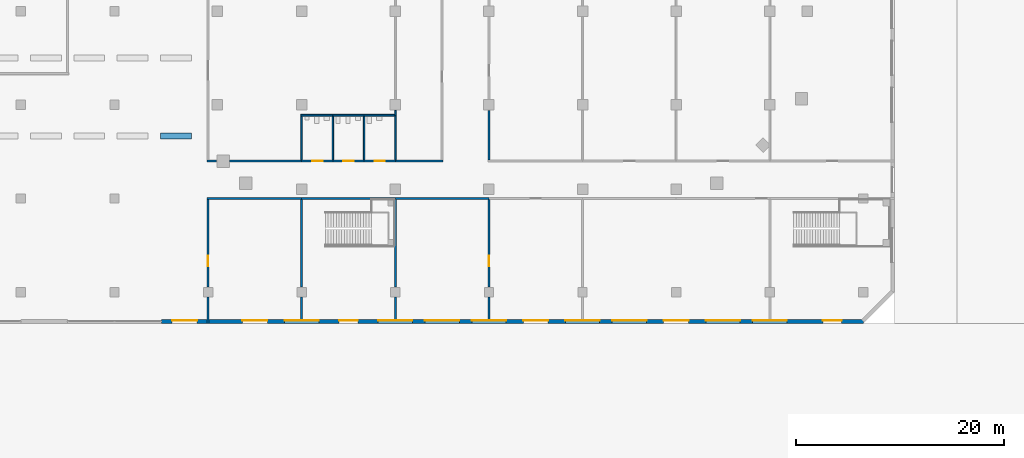
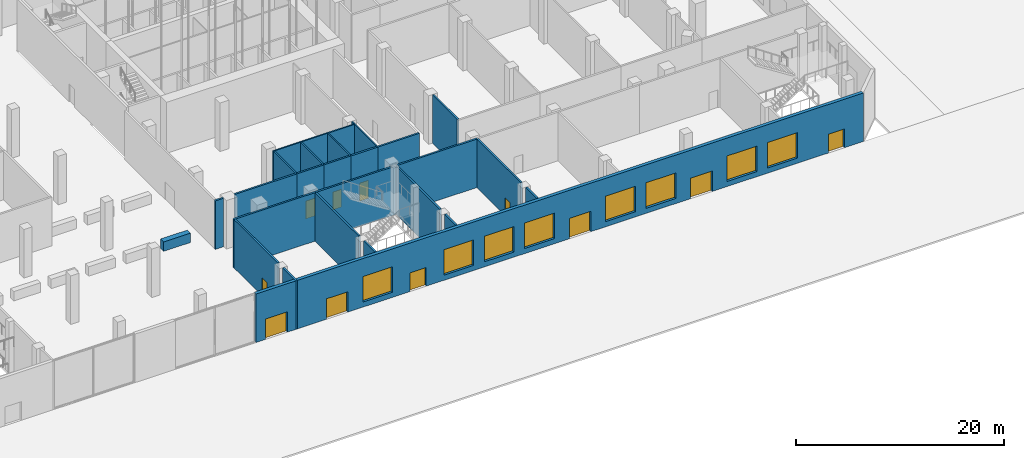
# One storey, part 36 of 55: 28 walls, 11 doors, 8 windows, 19 openings.
"""IFC4 building model written with IfcOpenShell, lengths in metres."""

from ifc_helpers import new_model, si_unit, direction, frame, frame_2d, origin, place, context, subcontext, project, spatial, rectangle, extrude, material, layer, layer_set, type_object, element, fill, save


model = new_model("IFC4")

# Units and contexts
model_context = context("Model", 3, precision=1e-05, world=origin(), true_north=direction((0.0, 1.0)))
body_context = subcontext(model_context, "Body", "Model", "MODEL_VIEW")
ifc_project = project(units=[si_unit("LENGTHUNIT", "METRE"), si_unit("AREAUNIT", "SQUARE_METRE"), si_unit("VOLUMEUNIT", "CUBIC_METRE"), si_unit("PLANEANGLEUNIT", "RADIAN"), si_unit("MASSUNIT", "GRAM", prefix="KILO")], contexts=[model_context])

# Site, building, storey
site_placement = place(None, origin())
site = spatial("IfcSite", under=ifc_project, at=site_placement, CompositionType="ELEMENT")
building_placement = place(site_placement, origin())
building = spatial("IfcBuilding", under=site, at=building_placement, Name="Cinnabar Reach Civic Tower", CompositionType="ELEMENT")
storey_placement = place(building_placement, origin())
storey = spatial("IfcBuildingStorey", under=building, at=storey_placement, Name="L00", CompositionType="ELEMENT", Elevation=0.0)

# Wall, openings, doors, windows
ifc_material_1 = material(Name="Facing brick with insulated backing", Category="masonry")
ifc_layer_1 = layer(ifc_material_1, 0.36)
ifc_layer_set_1 = layer_set([ifc_layer_1], Name="Brick pier and spandrel wall")
wall_type_1 = type_object("IfcWallType", Name="Brick pier and spandrel wall", PredefinedType="STANDARD", material=ifc_layer_set_1)
wall_1_placement = place(storey_placement, frame((-4.5, -11.82, 0.0), z_axis=(0.0, 0.0, 1.0), x_axis=(1.0, 0.0, 0.0)))
wall_1 = element("IfcWall", 1, at=wall_1_placement, inside=storey, type_object=wall_type_1, Name="Brick facade wall", PredefinedType="STANDARD", context=body_context, shape_type="SweptSolid", body=[
    extrude(rectangle(XDim=67.5, YDim=0.36, at=frame_2d((33.75, 0.0))), origin(), (0.0, 0.0, 1.0), 5.7),
])
opening_1_placement = place(wall_1_placement, frame((1.05, 0.0, 0.0)))
opening_1 = element("IfcOpeningElement", 2, at=opening_1_placement, cuts=wall_1, Name="Opening D7527", PredefinedType="OPENING", context=body_context, shape_type="SweptSolid", body=[
    extrude(rectangle(XDim=2.4, YDim=2.4, at=frame_2d((1.2, 1.2))), frame((0.0, 0.19, 0.0), z_axis=(0.0, -1.0, 0.0), x_axis=(1.0, 0.0, 0.0)), (0.0, 0.0, 1.0), 0.38),
])
opening_2_placement = place(wall_1_placement, frame((48.3, 0.0, 0.0)))
opening_2 = element("IfcOpeningElement", 3, at=opening_2_placement, cuts=wall_1, Name="Opening D7528", PredefinedType="OPENING", context=body_context, shape_type="SweptSolid", body=[
    extrude(rectangle(XDim=2.4, YDim=2.4, at=frame_2d((1.2, 1.2))), frame((0.0, 0.19, 0.0), z_axis=(0.0, -1.0, 0.0), x_axis=(1.0, 0.0, 0.0)), (0.0, 0.0, 1.0), 0.38),
])
opening_3_placement = place(wall_1_placement, frame((34.8, 0.0, 0.0)))
opening_3 = element("IfcOpeningElement", 4, at=opening_3_placement, cuts=wall_1, Name="Opening D7529", PredefinedType="OPENING", context=body_context, shape_type="SweptSolid", body=[
    extrude(rectangle(XDim=2.4, YDim=2.4, at=frame_2d((1.2, 1.2))), frame((0.0, 0.19, 0.0), z_axis=(0.0, -1.0, 0.0), x_axis=(1.0, 0.0, 0.0)), (0.0, 0.0, 1.0), 0.38),
])
opening_4_placement = place(wall_1_placement, frame((7.8, 0.0, 0.0)))
opening_4 = element("IfcOpeningElement", 5, at=opening_4_placement, cuts=wall_1, Name="Opening D7530", PredefinedType="OPENING", context=body_context, shape_type="SweptSolid", body=[
    extrude(rectangle(XDim=2.4, YDim=2.4, at=frame_2d((1.2, 1.2))), frame((0.0, 0.19, 0.0), z_axis=(0.0, -1.0, 0.0), x_axis=(1.0, 0.0, 0.0)), (0.0, 0.0, 1.0), 0.38),
])
opening_5_placement = place(wall_1_placement, frame((17.1, 0.0, 0.0)))
opening_5 = element("IfcOpeningElement", 6, at=opening_5_placement, cuts=wall_1, Name="Opening D7531", PredefinedType="OPENING", context=body_context, shape_type="SweptSolid", body=[
    extrude(rectangle(XDim=1.8, YDim=2.2, at=frame_2d((0.9, 1.1))), frame((0.0, 0.19, 0.0), z_axis=(0.0, -1.0, 0.0), x_axis=(1.0, 0.0, 0.0)), (0.0, 0.0, 1.0), 0.38),
])
opening_6_placement = place(wall_1_placement, frame((63.6, 0.0, 0.0)))
opening_6 = element("IfcOpeningElement", 7, at=opening_6_placement, cuts=wall_1, Name="Opening D7532", PredefinedType="OPENING", context=body_context, shape_type="SweptSolid", body=[
    extrude(rectangle(XDim=1.8, YDim=2.2, at=frame_2d((0.9, 1.1))), frame((0.0, 0.19, 0.0), z_axis=(0.0, -1.0, 0.0), x_axis=(1.0, 0.0, 0.0)), (0.0, 0.0, 1.0), 0.38),
])
opening_7_placement = place(wall_1_placement, frame((11.85, 0.0, 0.6)))
opening_7 = element("IfcOpeningElement", 8, at=opening_7_placement, cuts=wall_1, Name="Opening W2810", PredefinedType="OPENING", context=body_context, shape_type="SweptSolid", body=[
    extrude(rectangle(XDim=3.3, YDim=3.0, at=frame_2d((1.65, 1.5))), frame((0.0, 0.19, 0.0), z_axis=(0.0, -1.0, 0.0), x_axis=(1.0, 0.0, 0.0)), (0.0, 0.0, 1.0), 0.38),
])
opening_8_placement = place(wall_1_placement, frame((20.85, 0.0, 0.6)))
opening_8 = element("IfcOpeningElement", 9, at=opening_8_placement, cuts=wall_1, Name="Opening W2811", PredefinedType="OPENING", context=body_context, shape_type="SweptSolid", body=[
    extrude(rectangle(XDim=3.3, YDim=3.0, at=frame_2d((1.65, 1.5))), frame((0.0, 0.19, 0.0), z_axis=(0.0, -1.0, 0.0), x_axis=(1.0, 0.0, 0.0)), (0.0, 0.0, 1.0), 0.38),
])
opening_9_placement = place(wall_1_placement, frame((25.35, 0.0, 0.6)))
opening_9 = element("IfcOpeningElement", 10, at=opening_9_placement, cuts=wall_1, Name="Opening W2812", PredefinedType="OPENING", context=body_context, shape_type="SweptSolid", body=[
    extrude(rectangle(XDim=3.3, YDim=3.0, at=frame_2d((1.65, 1.5))), frame((0.0, 0.19, 0.0), z_axis=(0.0, -1.0, 0.0), x_axis=(1.0, 0.0, 0.0)), (0.0, 0.0, 1.0), 0.38),
])
opening_10_placement = place(wall_1_placement, frame((29.85, 0.0, 0.6)))
opening_10 = element("IfcOpeningElement", 11, at=opening_10_placement, cuts=wall_1, Name="Opening W2813", PredefinedType="OPENING", context=body_context, shape_type="SweptSolid", body=[
    extrude(rectangle(XDim=3.3, YDim=3.0, at=frame_2d((1.65, 1.5))), frame((0.0, 0.19, 0.0), z_axis=(0.0, -1.0, 0.0), x_axis=(1.0, 0.0, 0.0)), (0.0, 0.0, 1.0), 0.38),
])
opening_11_placement = place(wall_1_placement, frame((38.85, 0.0, 0.6)))
opening_11 = element("IfcOpeningElement", 12, at=opening_11_placement, cuts=wall_1, Name="Opening W2814", PredefinedType="OPENING", context=body_context, shape_type="SweptSolid", body=[
    extrude(rectangle(XDim=3.3, YDim=3.0, at=frame_2d((1.65, 1.5))), frame((0.0, 0.19, 0.0), z_axis=(0.0, -1.0, 0.0), x_axis=(1.0, 0.0, 0.0)), (0.0, 0.0, 1.0), 0.38),
])
opening_12_placement = place(wall_1_placement, frame((43.35, 0.0, 0.6)))
opening_12 = element("IfcOpeningElement", 13, at=opening_12_placement, cuts=wall_1, Name="Opening W2815", PredefinedType="OPENING", context=body_context, shape_type="SweptSolid", body=[
    extrude(rectangle(XDim=3.3, YDim=3.0, at=frame_2d((1.65, 1.5))), frame((0.0, 0.19, 0.0), z_axis=(0.0, -1.0, 0.0), x_axis=(1.0, 0.0, 0.0)), (0.0, 0.0, 1.0), 0.38),
])
opening_13_placement = place(wall_1_placement, frame((52.35, 0.0, 0.6)))
opening_13 = element("IfcOpeningElement", 14, at=opening_13_placement, cuts=wall_1, Name="Opening W2816", PredefinedType="OPENING", context=body_context, shape_type="SweptSolid", body=[
    extrude(rectangle(XDim=3.3, YDim=3.0, at=frame_2d((1.65, 1.5))), frame((0.0, 0.19, 0.0), z_axis=(0.0, -1.0, 0.0), x_axis=(1.0, 0.0, 0.0)), (0.0, 0.0, 1.0), 0.38),
])
opening_14_placement = place(wall_1_placement, frame((56.85, 0.0, 0.6)))
opening_14 = element("IfcOpeningElement", 15, at=opening_14_placement, cuts=wall_1, Name="Opening W2817", PredefinedType="OPENING", context=body_context, shape_type="SweptSolid", body=[
    extrude(rectangle(XDim=3.3, YDim=3.0, at=frame_2d((1.65, 1.5))), frame((0.0, 0.19, 0.0), z_axis=(0.0, -1.0, 0.0), x_axis=(1.0, 0.0, 0.0)), (0.0, 0.0, 1.0), 0.38),
])
ifc_material_2 = material(Name="Clear glazing in aluminium frame", Category="aluminium")
door_type_1 = type_object("IfcDoorType", Name="Facade entrance double door", OperationType="SINGLE_SWING_LEFT", PredefinedType="DOOR", material=ifc_material_2)
door_1_placement = place(opening_1_placement, frame((2.4, 0.0, 0.0), z_axis=(0.0, 0.0, 1.0), x_axis=(-1.0, 0.0, 0.0)))
door_1 = element("IfcDoor", 16, at=door_1_placement, inside=storey, type_object=door_type_1, Name="Public service hall entrance", OperationType="DOUBLE_DOOR_SINGLE_SWING", OverallHeight=2.4, OverallWidth=2.4, PredefinedType="DOOR", context=body_context, shape_type="SweptSolid", body=[
    extrude(rectangle(XDim=2.4, YDim=2.4, at=frame_2d((1.2, 1.2))), frame((0.0, -0.07, 0.0), z_axis=(0.0, -1.0, 0.0), x_axis=(1.0, 0.0, 0.0)), (0.0, 0.0, 1.0), 0.05),
])
fill(opening_1, door_1)
door_2_placement = place(opening_2_placement, frame((2.4, 0.0, 0.0), z_axis=(0.0, 0.0, 1.0), x_axis=(-1.0, 0.0, 0.0)))
door_2 = element("IfcDoor", 17, at=door_2_placement, inside=storey, type_object=door_type_1, Name="Promenade cafe entrance", OperationType="DOUBLE_DOOR_SINGLE_SWING", OverallHeight=2.4, OverallWidth=2.4, PredefinedType="DOOR", context=body_context, shape_type="SweptSolid", body=[
    extrude(rectangle(XDim=2.4, YDim=2.4, at=frame_2d((1.2, 1.2))), frame((0.0, -0.07, 0.0), z_axis=(0.0, -1.0, 0.0), x_axis=(1.0, 0.0, 0.0)), (0.0, 0.0, 1.0), 0.05),
])
fill(opening_2, door_2)
door_3_placement = place(opening_3_placement, frame((2.4, 0.0, 0.0), z_axis=(0.0, 0.0, 1.0), x_axis=(-1.0, 0.0, 0.0)))
door_3 = element("IfcDoor", 18, at=door_3_placement, inside=storey, type_object=door_type_1, Name="Observation deck lobby entrance", OperationType="DOUBLE_DOOR_SINGLE_SWING", OverallHeight=2.4, OverallWidth=2.4, PredefinedType="DOOR", context=body_context, shape_type="SweptSolid", body=[
    extrude(rectangle(XDim=2.4, YDim=2.4, at=frame_2d((1.2, 1.2))), frame((0.0, -0.07, 0.0), z_axis=(0.0, -1.0, 0.0), x_axis=(1.0, 0.0, 0.0)), (0.0, 0.0, 1.0), 0.05),
])
fill(opening_3, door_3)
door_4_placement = place(opening_4_placement, frame((2.4, 0.0, 0.0), z_axis=(0.0, 0.0, 1.0), x_axis=(-1.0, 0.0, 0.0)))
door_4 = element("IfcDoor", 19, at=door_4_placement, inside=storey, type_object=door_type_1, Name="Retail entrance", OperationType="DOUBLE_DOOR_SINGLE_SWING", OverallHeight=2.4, OverallWidth=2.4, PredefinedType="DOOR", context=body_context, shape_type="SweptSolid", body=[
    extrude(rectangle(XDim=2.4, YDim=2.4, at=frame_2d((1.2, 1.2))), frame((0.0, -0.07, 0.0), z_axis=(0.0, -1.0, 0.0), x_axis=(1.0, 0.0, 0.0)), (0.0, 0.0, 1.0), 0.05),
])
fill(opening_4, door_4)
ifc_material_3 = material(Name="Steel fire door", Category="steel")
door_type_2 = type_object("IfcDoorType", Name="Facade exit double door", OperationType="SINGLE_SWING_LEFT", PredefinedType="DOOR", material=ifc_material_3)
door_5_placement = place(opening_5_placement, frame((1.8, 0.0, 0.0), z_axis=(0.0, 0.0, 1.0), x_axis=(-1.0, 0.0, 0.0)))
door_5 = element("IfcDoor", 20, at=door_5_placement, inside=storey, type_object=door_type_2, Name="Stair exit discharge", OperationType="DOUBLE_DOOR_SINGLE_SWING", OverallHeight=2.2, OverallWidth=1.8, PredefinedType="DOOR", context=body_context, shape_type="SweptSolid", body=[
    extrude(rectangle(XDim=1.8, YDim=2.2, at=frame_2d((0.9, 1.1))), frame((0.0, -0.07, 0.0), z_axis=(0.0, -1.0, 0.0), x_axis=(1.0, 0.0, 0.0)), (0.0, 0.0, 1.0), 0.05),
])
fill(opening_5, door_5)
door_6_placement = place(opening_6_placement, frame((1.8, 0.0, 0.0), z_axis=(0.0, 0.0, 1.0), x_axis=(-1.0, 0.0, 0.0)))
door_6 = element("IfcDoor", 21, at=door_6_placement, inside=storey, type_object=door_type_2, Name="Stair exit discharge", OperationType="DOUBLE_DOOR_SINGLE_SWING", OverallHeight=2.2, OverallWidth=1.8, PredefinedType="DOOR", context=body_context, shape_type="SweptSolid", body=[
    extrude(rectangle(XDim=1.8, YDim=2.2, at=frame_2d((0.9, 1.1))), frame((0.0, -0.07, 0.0), z_axis=(0.0, -1.0, 0.0), x_axis=(1.0, 0.0, 0.0)), (0.0, 0.0, 1.0), 0.05),
])
fill(opening_6, door_6)
ifc_material_4 = material(Name="Clear double glazing in aluminium frame", Category="aluminium")
window_type = type_object("IfcWindowType", Name="Podium window G", PartitioningType="SINGLE_PANEL", PredefinedType="WINDOW", material=ifc_material_4)
window_1_placement = place(opening_7_placement, origin())
window_1 = element("IfcWindow", 22, at=window_1_placement, inside=storey, type_object=window_type, Name="Window south face", OverallHeight=3.0, OverallWidth=3.3, PartitioningType="SINGLE_PANEL", PredefinedType="WINDOW", context=body_context, shape_type="SweptSolid", body=[
    extrude(rectangle(XDim=3.3, YDim=3.0, at=frame_2d((1.65, 1.5))), frame((0.0, 0.13, 0.0), z_axis=(0.0, -1.0, 0.0), x_axis=(1.0, 0.0, 0.0)), (0.0, 0.0, 1.0), 0.06),
])
fill(opening_7, window_1)
window_2_placement = place(opening_8_placement, origin())
window_2 = element("IfcWindow", 23, at=window_2_placement, inside=storey, type_object=window_type, Name="Window south face", OverallHeight=3.0, OverallWidth=3.3, PartitioningType="SINGLE_PANEL", PredefinedType="WINDOW", context=body_context, shape_type="SweptSolid", body=[
    extrude(rectangle(XDim=3.3, YDim=3.0, at=frame_2d((1.65, 1.5))), frame((0.0, 0.13, 0.0), z_axis=(0.0, -1.0, 0.0), x_axis=(1.0, 0.0, 0.0)), (0.0, 0.0, 1.0), 0.06),
])
fill(opening_8, window_2)
window_3_placement = place(opening_9_placement, origin())
window_3 = element("IfcWindow", 24, at=window_3_placement, inside=storey, type_object=window_type, Name="Window south face", OverallHeight=3.0, OverallWidth=3.3, PartitioningType="SINGLE_PANEL", PredefinedType="WINDOW", context=body_context, shape_type="SweptSolid", body=[
    extrude(rectangle(XDim=3.3, YDim=3.0, at=frame_2d((1.65, 1.5))), frame((0.0, 0.13, 0.0), z_axis=(0.0, -1.0, 0.0), x_axis=(1.0, 0.0, 0.0)), (0.0, 0.0, 1.0), 0.06),
])
fill(opening_9, window_3)
window_4_placement = place(opening_10_placement, origin())
window_4 = element("IfcWindow", 25, at=window_4_placement, inside=storey, type_object=window_type, Name="Window south face", OverallHeight=3.0, OverallWidth=3.3, PartitioningType="SINGLE_PANEL", PredefinedType="WINDOW", context=body_context, shape_type="SweptSolid", body=[
    extrude(rectangle(XDim=3.3, YDim=3.0, at=frame_2d((1.65, 1.5))), frame((0.0, 0.13, 0.0), z_axis=(0.0, -1.0, 0.0), x_axis=(1.0, 0.0, 0.0)), (0.0, 0.0, 1.0), 0.06),
])
fill(opening_10, window_4)
window_5_placement = place(opening_11_placement, origin())
window_5 = element("IfcWindow", 26, at=window_5_placement, inside=storey, type_object=window_type, Name="Window south face", OverallHeight=3.0, OverallWidth=3.3, PartitioningType="SINGLE_PANEL", PredefinedType="WINDOW", context=body_context, shape_type="SweptSolid", body=[
    extrude(rectangle(XDim=3.3, YDim=3.0, at=frame_2d((1.65, 1.5))), frame((0.0, 0.13, 0.0), z_axis=(0.0, -1.0, 0.0), x_axis=(1.0, 0.0, 0.0)), (0.0, 0.0, 1.0), 0.06),
])
fill(opening_11, window_5)
window_6_placement = place(opening_12_placement, origin())
window_6 = element("IfcWindow", 27, at=window_6_placement, inside=storey, type_object=window_type, Name="Window south face", OverallHeight=3.0, OverallWidth=3.3, PartitioningType="SINGLE_PANEL", PredefinedType="WINDOW", context=body_context, shape_type="SweptSolid", body=[
    extrude(rectangle(XDim=3.3, YDim=3.0, at=frame_2d((1.65, 1.5))), frame((0.0, 0.13, 0.0), z_axis=(0.0, -1.0, 0.0), x_axis=(1.0, 0.0, 0.0)), (0.0, 0.0, 1.0), 0.06),
])
fill(opening_12, window_6)
window_7_placement = place(opening_13_placement, origin())
window_7 = element("IfcWindow", 28, at=window_7_placement, inside=storey, type_object=window_type, Name="Window south face", OverallHeight=3.0, OverallWidth=3.3, PartitioningType="SINGLE_PANEL", PredefinedType="WINDOW", context=body_context, shape_type="SweptSolid", body=[
    extrude(rectangle(XDim=3.3, YDim=3.0, at=frame_2d((1.65, 1.5))), frame((0.0, 0.13, 0.0), z_axis=(0.0, -1.0, 0.0), x_axis=(1.0, 0.0, 0.0)), (0.0, 0.0, 1.0), 0.06),
])
fill(opening_13, window_7)
window_8_placement = place(opening_14_placement, origin())
window_8 = element("IfcWindow", 29, at=window_8_placement, inside=storey, type_object=window_type, Name="Window south face", OverallHeight=3.0, OverallWidth=3.3, PartitioningType="SINGLE_PANEL", PredefinedType="WINDOW", context=body_context, shape_type="SweptSolid", body=[
    extrude(rectangle(XDim=3.3, YDim=3.0, at=frame_2d((1.65, 1.5))), frame((0.0, 0.13, 0.0), z_axis=(0.0, -1.0, 0.0), x_axis=(1.0, 0.0, 0.0)), (0.0, 0.0, 1.0), 0.06),
])
fill(opening_14, window_8)

# Wall
ifc_material_5 = material(Name="Concrete blockwork", Category="masonry")
ifc_layer_2 = layer(ifc_material_5, 0.2)
ifc_layer_set_2 = layer_set([ifc_layer_2], Name="Podium masonry corridor wall 200 EI 120")
wall_type_2 = type_object("IfcWallType", Name="Podium masonry corridor wall 200 EI 120", PredefinedType="PARTITIONING", material=ifc_layer_set_2)
wall_2_placement = place(storey_placement, frame((0.0, -12.0, 0.0), z_axis=(0.0, 0.0, 1.0), x_axis=(0.0, 1.0, 0.0)))
element("IfcWall", 30, at=wall_2_placement, inside=storey, type_object=wall_type_2, Name="Wall L00 50", PredefinedType="PARTITIONING", context=body_context, shape_type="SweptSolid", body=[
    extrude(rectangle(XDim=2.53, YDim=0.2, at=frame_2d((1.265, 0.0))), origin(), (0.0, 0.0, 1.0), 5.7),
])

# Wall, opening, door
wall_3_placement = place(storey_placement, frame((0.0, -8.53, 0.0), z_axis=(0.0, 0.0, 1.0), x_axis=(0.0, 1.0, 0.0)))
wall_3 = element("IfcWall", 31, at=wall_3_placement, inside=storey, type_object=wall_type_2, Name="Wall L00 51", PredefinedType="PARTITIONING", context=body_context, shape_type="SweptSolid", body=[
    extrude(rectangle(XDim=8.43, YDim=0.2, at=frame_2d((4.215, 0.0))), origin(), (0.0, 0.0, 1.0), 5.7),
])
opening_15_placement = place(wall_3_placement, frame((2.03, 0.0, 0.0)))
opening_15 = element("IfcOpeningElement", 32, at=opening_15_placement, cuts=wall_3, Name="Opening D1008", PredefinedType="OPENING", context=body_context, shape_type="SweptSolid", body=[
    extrude(rectangle(XDim=1.0, YDim=2.1, at=frame_2d((0.5, 1.05))), frame((0.0, 0.11, 0.0), z_axis=(0.0, -1.0, 0.0), x_axis=(1.0, 0.0, 0.0)), (0.0, 0.0, 1.0), 0.22),
])
ifc_material_6 = material(Name="Painted steel door leaf", Category="steel")
door_type_3 = type_object("IfcDoorType", Name="Podium single door 1000x2100", OperationType="SINGLE_SWING_LEFT", PredefinedType="DOOR", material=ifc_material_6)
door_7_placement = place(opening_15_placement, frame((1.0, 0.0, 0.0), z_axis=(0.0, 0.0, 1.0), x_axis=(-1.0, 0.0, 0.0)))
door_7 = element("IfcDoor", 33, at=door_7_placement, inside=storey, type_object=door_type_3, Name="Door D1008", OperationType="SINGLE_SWING_LEFT", OverallHeight=2.1, OverallWidth=1.0, PredefinedType="DOOR", context=body_context, shape_type="SweptSolid", body=[
    extrude(rectangle(XDim=1.0, YDim=2.1, at=frame_2d((0.5, 1.05))), frame((0.0, 0.025, 0.0), z_axis=(0.0, -1.0, 0.0), x_axis=(1.0, 0.0, 0.0)), (0.0, 0.0, 1.0), 0.05),
])
fill(opening_15, door_7)

# Walls
wall_4_placement = place(storey_placement, frame((-0.1, 0.0, 0.0), z_axis=(0.0, 0.0, 1.0), x_axis=(1.0, 0.0, 0.0)))
element("IfcWall", 34, at=wall_4_placement, inside=storey, type_object=wall_type_2, Name="Wall L00 86", PredefinedType="PARTITIONING", context=body_context, shape_type="SweptSolid", body=[
    extrude(rectangle(XDim=9.1, YDim=0.2, at=frame_2d((4.55, 0.0))), origin(), (0.0, 0.0, 1.0), 5.7),
])
wall_5_placement = place(storey_placement, frame((18.0, 0.0, 0.0), z_axis=(0.0, 0.0, 1.0), x_axis=(1.0, 0.0, 0.0)))
element("IfcWall", 35, at=wall_5_placement, inside=storey, type_object=wall_type_2, Name="Wall L00 87", PredefinedType="PARTITIONING", context=body_context, shape_type="SweptSolid", body=[
    extrude(rectangle(XDim=9.0, YDim=0.2, at=frame_2d((4.5, 0.0))), origin(), (0.0, 0.0, 1.0), 5.7),
])
wall_6_placement = place(storey_placement, frame((-0.1, 3.6, 0.0), z_axis=(0.0, 0.0, 1.0), x_axis=(1.0, 0.0, 0.0)))
element("IfcWall", 36, at=wall_6_placement, inside=storey, type_object=wall_type_2, Name="Wall L00 91", PredefinedType="PARTITIONING", context=body_context, shape_type="SweptSolid", body=[
    extrude(rectangle(XDim=0.9331, YDim=0.2, at=frame_2d((0.4666, 0.0))), origin(), (0.0, 0.0, 1.0), 5.7),
])
wall_7_placement = place(storey_placement, frame((2.0731, 3.6, 0.0), z_axis=(0.0, 0.0, 1.0), x_axis=(1.0, 0.0, 0.0)))
element("IfcWall", 37, at=wall_7_placement, inside=storey, type_object=wall_type_2, Name="Wall L00 92", PredefinedType="PARTITIONING", context=body_context, shape_type="SweptSolid", body=[
    extrude(rectangle(XDim=6.9269, YDim=0.2, at=frame_2d((3.4634, 0.0))), origin(), (0.0, 0.0, 1.0), 5.7),
])

# Wall, opening, door
wall_8_placement = place(storey_placement, frame((9.0, 3.6, 0.0), z_axis=(0.0, 0.0, 1.0), x_axis=(1.0, 0.0, 0.0)))
wall_8 = element("IfcWall", 38, at=wall_8_placement, inside=storey, type_object=wall_type_2, Name="Wall L00 93", PredefinedType="PARTITIONING", context=body_context, shape_type="SweptSolid", body=[
    extrude(rectangle(XDim=3.0, YDim=0.2, at=frame_2d((1.5, 0.0))), origin(), (0.0, 0.0, 1.0), 5.7),
])
opening_16_placement = place(wall_8_placement, frame((1.0, 0.0, 0.0)))
opening_16 = element("IfcOpeningElement", 39, at=opening_16_placement, cuts=wall_8, Name="Opening D1018", PredefinedType="OPENING", context=body_context, shape_type="SweptSolid", body=[
    extrude(rectangle(XDim=1.0, YDim=2.1, at=frame_2d((0.5, 1.05))), frame((0.0, 0.11, 0.0), z_axis=(0.0, -1.0, 0.0), x_axis=(1.0, 0.0, 0.0)), (0.0, 0.0, 1.0), 0.22),
])
door_8_placement = place(opening_16_placement, origin())
door_8 = element("IfcDoor", 40, at=door_8_placement, inside=storey, type_object=door_type_3, Name="Door D1018", OperationType="SINGLE_SWING_LEFT", OverallHeight=2.1, OverallWidth=1.0, PredefinedType="DOOR", context=body_context, shape_type="SweptSolid", body=[
    extrude(rectangle(XDim=1.0, YDim=2.1, at=frame_2d((0.5, 1.05))), frame((0.0, 0.025, 0.0), z_axis=(0.0, -1.0, 0.0), x_axis=(1.0, 0.0, 0.0)), (0.0, 0.0, 1.0), 0.05),
])
fill(opening_16, door_8)

wall_9_placement = place(storey_placement, frame((12.0, 3.6, 0.0), z_axis=(0.0, 0.0, 1.0), x_axis=(1.0, 0.0, 0.0)))
wall_9 = element("IfcWall", 41, at=wall_9_placement, inside=storey, type_object=wall_type_2, Name="Wall L00 94", PredefinedType="PARTITIONING", context=body_context, shape_type="SweptSolid", body=[
    extrude(rectangle(XDim=3.0, YDim=0.2, at=frame_2d((1.5, 0.0))), origin(), (0.0, 0.0, 1.0), 5.7),
])
opening_17_placement = place(wall_9_placement, frame((1.0, 0.0, 0.0)))
opening_17 = element("IfcOpeningElement", 42, at=opening_17_placement, cuts=wall_9, Name="Opening D1019", PredefinedType="OPENING", context=body_context, shape_type="SweptSolid", body=[
    extrude(rectangle(XDim=1.0, YDim=2.1, at=frame_2d((0.5, 1.05))), frame((0.0, 0.11, 0.0), z_axis=(0.0, -1.0, 0.0), x_axis=(1.0, 0.0, 0.0)), (0.0, 0.0, 1.0), 0.22),
])
door_9_placement = place(opening_17_placement, origin())
door_9 = element("IfcDoor", 43, at=door_9_placement, inside=storey, type_object=door_type_3, Name="Door D1019", OperationType="SINGLE_SWING_LEFT", OverallHeight=2.1, OverallWidth=1.0, PredefinedType="DOOR", context=body_context, shape_type="SweptSolid", body=[
    extrude(rectangle(XDim=1.0, YDim=2.1, at=frame_2d((0.5, 1.05))), frame((0.0, 0.025, 0.0), z_axis=(0.0, -1.0, 0.0), x_axis=(1.0, 0.0, 0.0)), (0.0, 0.0, 1.0), 0.05),
])
fill(opening_17, door_9)

wall_10_placement = place(storey_placement, frame((15.0, 3.6, 0.0), z_axis=(0.0, 0.0, 1.0), x_axis=(1.0, 0.0, 0.0)))
wall_10 = element("IfcWall", 44, at=wall_10_placement, inside=storey, type_object=wall_type_2, Name="Wall L00 95", PredefinedType="PARTITIONING", context=body_context, shape_type="SweptSolid", body=[
    extrude(rectangle(XDim=3.0, YDim=0.2, at=frame_2d((1.5, 0.0))), origin(), (0.0, 0.0, 1.0), 5.7),
])
opening_18_placement = place(wall_10_placement, frame((1.0, 0.0, 0.0)))
opening_18 = element("IfcOpeningElement", 45, at=opening_18_placement, cuts=wall_10, Name="Opening D1020", PredefinedType="OPENING", context=body_context, shape_type="SweptSolid", body=[
    extrude(rectangle(XDim=1.0, YDim=2.1, at=frame_2d((0.5, 1.05))), frame((0.0, 0.11, 0.0), z_axis=(0.0, -1.0, 0.0), x_axis=(1.0, 0.0, 0.0)), (0.0, 0.0, 1.0), 0.22),
])
door_10_placement = place(opening_18_placement, origin())
door_10 = element("IfcDoor", 46, at=door_10_placement, inside=storey, type_object=door_type_3, Name="Door D1020", OperationType="SINGLE_SWING_RIGHT", OverallHeight=2.1, OverallWidth=1.0, PredefinedType="DOOR", context=body_context, shape_type="SweptSolid", body=[
    extrude(rectangle(XDim=1.0, YDim=2.1, at=frame_2d((0.5, 1.05))), frame((0.0, 0.025, 0.0), z_axis=(0.0, -1.0, 0.0), x_axis=(1.0, 0.0, 0.0)), (0.0, 0.0, 1.0), 0.05),
])
fill(opening_18, door_10)

# Walls
wall_11_placement = place(storey_placement, frame((18.0, 3.6, 0.0), z_axis=(0.0, 0.0, 1.0), x_axis=(1.0, 0.0, 0.0)))
element("IfcWall", 47, at=wall_11_placement, inside=storey, type_object=wall_type_2, Name="Wall L00 96", PredefinedType="PARTITIONING", context=body_context, shape_type="SweptSolid", body=[
    extrude(rectangle(XDim=4.6, YDim=0.2, at=frame_2d((2.3, 0.0))), origin(), (0.0, 0.0, 1.0), 5.7),
])
wall_12_placement = place(storey_placement, frame((27.0, 3.7, 0.0), z_axis=(0.0, 0.0, 1.0), x_axis=(0.0, 1.0, 0.0)))
element("IfcWall", 48, at=wall_12_placement, inside=storey, type_object=wall_type_2, Name="Wall L00 136", PredefinedType="PARTITIONING", context=body_context, shape_type="SweptSolid", body=[
    extrude(rectangle(XDim=4.78, YDim=0.2, at=frame_2d((2.39, 0.0))), origin(), (0.0, 0.0, 1.0), 5.7),
])
wall_13_placement = place(storey_placement, frame((27.0, -11.6, 0.0), z_axis=(0.0, 0.0, 1.0), x_axis=(0.0, 1.0, 0.0)))
element("IfcWall", 49, at=wall_13_placement, inside=storey, type_object=wall_type_2, Name="Wall L00 151", PredefinedType="PARTITIONING", context=body_context, shape_type="SweptSolid", body=[
    extrude(rectangle(XDim=2.13, YDim=0.2, at=frame_2d((1.065, 0.0))), origin(), (0.0, 0.0, 1.0), 5.7),
])

# Wall, opening, door
wall_14_placement = place(storey_placement, frame((27.0, -8.53, 0.0), z_axis=(0.0, 0.0, 1.0), x_axis=(0.0, 1.0, 0.0)))
wall_14 = element("IfcWall", 50, at=wall_14_placement, inside=storey, type_object=wall_type_2, Name="Wall L00 152", PredefinedType="PARTITIONING", context=body_context, shape_type="SweptSolid", body=[
    extrude(rectangle(XDim=8.43, YDim=0.2, at=frame_2d((4.215, 0.0))), origin(), (0.0, 0.0, 1.0), 5.7),
])
opening_19_placement = place(wall_14_placement, frame((2.03, 0.0, 0.0)))
opening_19 = element("IfcOpeningElement", 51, at=opening_19_placement, cuts=wall_14, Name="Opening D1009", PredefinedType="OPENING", context=body_context, shape_type="SweptSolid", body=[
    extrude(rectangle(XDim=1.0, YDim=2.1, at=frame_2d((0.5, 1.05))), frame((0.0, 0.11, 0.0), z_axis=(0.0, -1.0, 0.0), x_axis=(1.0, 0.0, 0.0)), (0.0, 0.0, 1.0), 0.22),
])
door_11_placement = place(opening_19_placement, origin())
door_11 = element("IfcDoor", 52, at=door_11_placement, inside=storey, type_object=door_type_3, Name="Door D1009", OperationType="SINGLE_SWING_LEFT", OverallHeight=2.1, OverallWidth=1.0, PredefinedType="DOOR", context=body_context, shape_type="SweptSolid", body=[
    extrude(rectangle(XDim=1.0, YDim=2.1, at=frame_2d((0.5, 1.05))), frame((0.0, 0.025, 0.0), z_axis=(0.0, -1.0, 0.0), x_axis=(1.0, 0.0, 0.0)), (0.0, 0.0, 1.0), 0.05),
])
fill(opening_19, door_11)

# Walls
ifc_material_7 = material(Name="Gypsum board on steel studs", Category="steel")
ifc_layer_3 = layer(ifc_material_7, 0.15)
ifc_layer_set_3 = layer_set([ifc_layer_3], Name="Podium partition wall 150 EI 90")
wall_type_3 = type_object("IfcWallType", Name="Podium partition wall 150 EI 90", PredefinedType="PARTITIONING", material=ifc_layer_set_3)
wall_15_placement = place(storey_placement, frame((8.925, 8.0, 0.0), z_axis=(0.0, 0.0, 1.0), x_axis=(1.0, 0.0, 0.0)))
element("IfcWall", 53, at=wall_15_placement, inside=storey, type_object=wall_type_3, Name="Wall L00 164", PredefinedType="PARTITIONING", context=body_context, shape_type="SweptSolid", body=[
    extrude(rectangle(XDim=3.075, YDim=0.15, at=frame_2d((1.5375, 0.0))), origin(), (0.0, 0.0, 1.0), 5.7),
])
wall_16_placement = place(storey_placement, frame((9.0, 3.7, 0.0), z_axis=(0.0, 0.0, 1.0), x_axis=(0.0, 1.0, 0.0)))
element("IfcWall", 54, at=wall_16_placement, inside=storey, type_object=wall_type_3, Name="Wall L00 165", PredefinedType="PARTITIONING", context=body_context, shape_type="SweptSolid", body=[
    extrude(rectangle(XDim=4.225, YDim=0.15, at=frame_2d((2.1125, 0.0))), origin(), (0.0, 0.0, 1.0), 5.7),
])
wall_17_placement = place(storey_placement, frame((12.0, 8.0, 0.0), z_axis=(0.0, 0.0, 1.0), x_axis=(1.0, 0.0, 0.0)))
element("IfcWall", 55, at=wall_17_placement, inside=storey, type_object=wall_type_3, Name="Wall L00 166", PredefinedType="PARTITIONING", context=body_context, shape_type="SweptSolid", body=[
    extrude(rectangle(XDim=3.0, YDim=0.15, at=frame_2d((1.5, 0.0))), origin(), (0.0, 0.0, 1.0), 5.7),
])
wall_18_placement = place(storey_placement, frame((15.0, 8.0, 0.0), z_axis=(0.0, 0.0, 1.0), x_axis=(1.0, 0.0, 0.0)))
element("IfcWall", 56, at=wall_18_placement, inside=storey, type_object=wall_type_3, Name="Wall L00 167", PredefinedType="PARTITIONING", context=body_context, shape_type="SweptSolid", body=[
    extrude(rectangle(XDim=2.925, YDim=0.15, at=frame_2d((1.4625, 0.0))), origin(), (0.0, 0.0, 1.0), 5.7),
])
wall_19_placement = place(storey_placement, frame((18.0, 8.0, 0.0), z_axis=(0.0, 0.0, 1.0), x_axis=(0.0, 1.0, 0.0)))
element("IfcWall", 57, at=wall_19_placement, inside=storey, type_object=wall_type_3, Name="Wall L00 168", PredefinedType="PARTITIONING", context=body_context, shape_type="SweptSolid", body=[
    extrude(rectangle(XDim=0.48, YDim=0.15, at=frame_2d((0.24, 0.0))), origin(), (0.0, 0.0, 1.0), 5.7),
])
for number, where, z_axis, x_axis, name in (
    (58, (12.0, 3.7, 0.0), (0.0, 0.0, 1.0), (0.0, 1.0, 0.0), "Wall L00 171"),
    (59, (15.0, 3.7, 0.0), (0.0, 0.0, 1.0), (0.0, 1.0, 0.0), "Wall L00 172"),
):
    element("IfcWall", number, at=place(storey_placement, frame(where, z_axis=z_axis, x_axis=x_axis)), inside=storey, type_object=wall_type_3, Name=name, PredefinedType="PARTITIONING", context=body_context, shape_type="SweptSolid", body=[
        extrude(rectangle(XDim=4.225, YDim=0.15, at=frame_2d((2.1125, 0.0))), origin(), (0.0, 0.0, 1.0), 5.7),
    ])
wall_20_placement = place(storey_placement, frame((18.0, 3.7, 0.0), z_axis=(0.0, 0.0, 1.0), x_axis=(0.0, 1.0, 0.0)))
element("IfcWall", 60, at=wall_20_placement, inside=storey, type_object=wall_type_3, Name="Wall L00 173", PredefinedType="PARTITIONING", context=body_context, shape_type="SweptSolid", body=[
    extrude(rectangle(XDim=4.3, YDim=0.15, at=frame_2d((2.15, 0.0))), origin(), (0.0, 0.0, 1.0), 5.7),
])
ifc_material_8 = material(Name="Timber veneer on steel frame", Category="steel")
ifc_layer_4 = layer(ifc_material_8, 0.6)
ifc_layer_set_4 = layer_set([ifc_layer_4], Name="Podium service counter 600")
wall_type_4 = type_object("IfcWallType", Name="Podium service counter 600", PredefinedType="MOVABLE", material=ifc_layer_set_4)
wall_21_placement = place(storey_placement, frame((-4.5667, 6.0, 0.0), z_axis=(0.0, 0.0, 1.0), x_axis=(1.0, 0.0, 0.0)))
element("IfcWall", 61, at=wall_21_placement, inside=storey, type_object=wall_type_4, Name="Service counter A6", PredefinedType="MOVABLE", context=body_context, shape_type="SweptSolid", body=[
    extrude(rectangle(XDim=2.9667, YDim=0.6, at=frame_2d((1.4833, 0.0))), origin(), (0.0, 0.0, 1.0), 1.1),
])
ifc_material_9 = material(Name="Concrete C40", Category="concrete")
ifc_layer_5 = layer(ifc_material_9, 0.2)
ifc_layer_set_5 = layer_set([ifc_layer_5], Name="Podium stair shaft wall 200 EI 120")
wall_type_5 = type_object("IfcWallType", Name="Podium stair shaft wall 200 EI 120", PredefinedType="SOLIDWALL", material=ifc_layer_set_5)
wall_22_placement = place(storey_placement, frame((9.0, 0.0, 0.0), z_axis=(0.0, 0.0, 1.0), x_axis=(1.0, 0.0, 0.0)))
element("IfcWall", 62, at=wall_22_placement, inside=storey, type_object=wall_type_5, Name="Wall L00 10", PredefinedType="SOLIDWALL", context=body_context, shape_type="SweptSolid", body=[
    extrude(rectangle(XDim=9.0, YDim=0.2, at=frame_2d((4.5, 0.0))), origin(), (0.0, 0.0, 1.0), 5.7),
])
wall_23_placement = place(storey_placement, frame((9.0, -11.6, 0.0), z_axis=(0.0, 0.0, 1.0), x_axis=(0.0, 1.0, 0.0)))
element("IfcWall", 63, at=wall_23_placement, inside=storey, type_object=wall_type_5, Name="Wall L00 11", PredefinedType="SOLIDWALL", context=body_context, shape_type="SweptSolid", body=[
    extrude(rectangle(XDim=2.13, YDim=0.2, at=frame_2d((1.065, 0.0))), origin(), (0.0, 0.0, 1.0), 5.7),
])
wall_24_placement = place(storey_placement, frame((9.0, -8.53, 0.0), z_axis=(0.0, 0.0, 1.0), x_axis=(0.0, 1.0, 0.0)))
element("IfcWall", 64, at=wall_24_placement, inside=storey, type_object=wall_type_5, Name="Wall L00 12", PredefinedType="SOLIDWALL", context=body_context, shape_type="SweptSolid", body=[
    extrude(rectangle(XDim=8.43, YDim=0.2, at=frame_2d((4.215, 0.0))), origin(), (0.0, 0.0, 1.0), 5.7),
])
wall_25_placement = place(storey_placement, frame((18.0, -11.6, 0.0), z_axis=(0.0, 0.0, 1.0), x_axis=(0.0, 1.0, 0.0)))
element("IfcWall", 65, at=wall_25_placement, inside=storey, type_object=wall_type_5, Name="Wall L00 13", PredefinedType="SOLIDWALL", context=body_context, shape_type="SweptSolid", body=[
    extrude(rectangle(XDim=2.13, YDim=0.2, at=frame_2d((1.065, 0.0))), origin(), (0.0, 0.0, 1.0), 5.7),
])
wall_26_placement = place(storey_placement, frame((18.0, -8.53, 0.0), z_axis=(0.0, 0.0, 1.0), x_axis=(0.0, 1.0, 0.0)))
element("IfcWall", 66, at=wall_26_placement, inside=storey, type_object=wall_type_5, Name="Wall L00 14", PredefinedType="SOLIDWALL", context=body_context, shape_type="SweptSolid", body=[
    extrude(rectangle(XDim=8.43, YDim=0.2, at=frame_2d((4.215, 0.0))), origin(), (0.0, 0.0, 1.0), 5.7),
])

save(model, "model.ifc")
